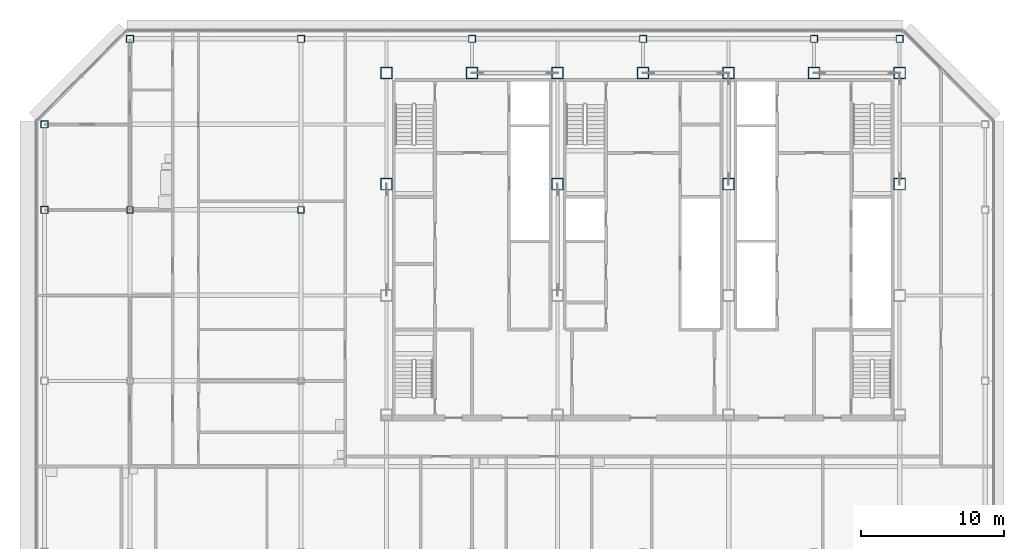
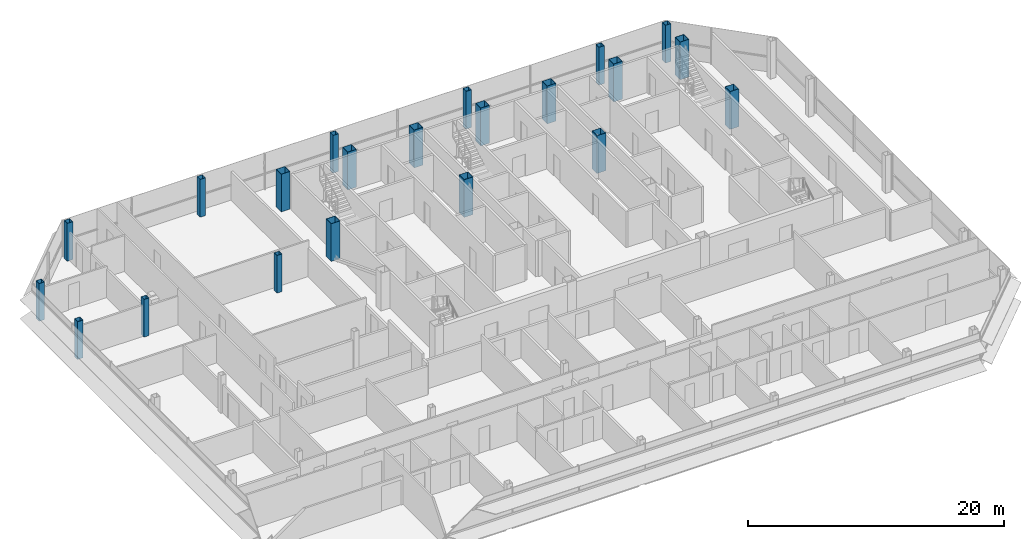
# One storey, part 2 of 28: 21 columns.
"""IFC4 building model written with IfcOpenShell, lengths in metres."""

import ifcopenshell
import ifcopenshell.guid

model = None  # the IFC model being written
_history = None  # IfcOwnerHistory: only IFC2X3 demands one
_inside = {}  # id of a spatial element -> (the spatial element, [elements in it])
_under = {}  # id of a project, library or spatial element -> (it, [spatial elements below it])
_declared = {}  # id of a project -> (the project, [libraries it declares])
_typed = {}  # id of a type object -> (the type object, [elements of that type])
_made_of = {}  # id of a material, layer set ... -> (it, [elements and type objects made of it])


def new_model(schema):
    """Start an empty IFC model of exactly this schema.

    Asked for "IFC4X3", IfcOpenShell would pick the latest addendum, in which some entities
    have other attributes; the version numbers below select the first issue.
    IFC2X3 requires an IfcOwnerHistory on every rooted entity: one is made here for all.
    """
    global model, _history
    if schema == "IFC4X3":
        model = ifcopenshell.file(schema_version=(4, 3, 0, 0))
    else:
        model = ifcopenshell.file(schema=schema)
    _inside.clear()
    _under.clear()
    _declared.clear()
    _typed.clear()
    _made_of.clear()
    _history = None
    if model.schema == "IFC2X3":
        org = make("IfcOrganization", Name="unknown")
        user = make(
            "IfcPersonAndOrganization",
            ThePerson=make("IfcPerson", FamilyName="unknown"),
            TheOrganization=org,
        )
        app = make(
            "IfcApplication",
            ApplicationDeveloper=org,
            Version="unknown",
            ApplicationFullName="unknown",
            ApplicationIdentifier="unknown",
        )
        _history = make(
            "IfcOwnerHistory",
            OwningUser=user,
            OwningApplication=app,
            ChangeAction="ADDED",
            CreationDate=0,
        )
    return model


def make(cls, **values):
    """One entity of the class cls with the attributes given. An attribute that is None is left unset."""
    return model.create_entity(
        cls, **{name: value for name, value in values.items() if value is not None}
    )


def rooted(cls, **values):
    """An entity with a GlobalId (a new one), such as an element, a storey or a relation."""
    return make(cls, GlobalId=ifcopenshell.guid.new(), OwnerHistory=_history, **values)


def si_unit(unit_type, name, prefix=None):
    """IfcSIUnit, for example si_unit("LENGTHUNIT", "METRE", prefix="MILLI")."""
    return make("IfcSIUnit", UnitType=unit_type, Prefix=prefix, Name=name)


def assignment(units):
    """IfcUnitAssignment: the units of a project."""
    return None if units is None else make("IfcUnitAssignment", Units=units)


def point(xyz):
    """IfcCartesianPoint."""
    return None if xyz is None else make("IfcCartesianPoint", Coordinates=xyz)


def direction(xyz):
    """IfcDirection."""
    return None if xyz is None else make("IfcDirection", DirectionRatios=xyz)


def frame(location, z_axis=None, x_axis=None):
    """IfcAxis2Placement3D, a coordinate frame: its origin and axes. An axis left out is left unset."""
    return make(
        "IfcAxis2Placement3D",
        Location=point(location),
        Axis=direction(z_axis),
        RefDirection=direction(x_axis),
    )


def frame_2d(location, x_axis=None):
    """IfcAxis2Placement2D, a coordinate frame in the plane: its origin and x axis."""
    return make(
        "IfcAxis2Placement2D", Location=point(location), RefDirection=direction(x_axis)
    )


def origin():
    """The frame at (0, 0, 0) with its axes left unset."""
    return frame((0.0, 0.0, 0.0))


def origin_2d():
    """The frame at (0, 0) in the plane with its x axis left unset."""
    return frame_2d((0.0, 0.0))


def place(relative_to, where):
    """IfcLocalPlacement: puts the frame where relative to a parent placement (None: the world)."""
    return make(
        "IfcLocalPlacement", PlacementRelTo=relative_to, RelativePlacement=where
    )


def context(
    kind, dimensions, precision=None, world=None, true_north=None, identifier=None
):
    """IfcGeometricRepresentationContext, for example the 3D "Model" context."""
    return make(
        "IfcGeometricRepresentationContext",
        ContextIdentifier=identifier,
        ContextType=kind,
        CoordinateSpaceDimension=dimensions,
        Precision=precision,
        WorldCoordinateSystem=world,
        TrueNorth=true_north,
    )


def subcontext(parent, identifier, kind, view, scale=None):
    """IfcGeometricRepresentationSubContext, for example "Body" below "Model"."""
    return make(
        "IfcGeometricRepresentationSubContext",
        ContextIdentifier=identifier,
        ContextType=kind,
        ParentContext=parent,
        TargetScale=scale,
        TargetView=view,
    )


def project(units=None, contexts=None):
    """IfcProject with its units and contexts."""
    return rooted(
        "IfcProject",
        Name="project",
        RepresentationContexts=contexts,
        UnitsInContext=assignment(units),
    )


def spatial(cls, under=None, at=None, **own):
    """A site, building, storey or space (cls), placed at a placement, below another one or the project."""
    s = rooted(cls, ObjectPlacement=at, **own)
    if under is not None:
        _under.setdefault(under.id(), (under, []))[1].append(s)
    return s


def profile(cls, at=None, kind="AREA", **sizes):
    """A parametric profile (cls). Its sizes go by their IFC names, for example OverallWidth=200.0."""
    return make(cls, ProfileType=kind, Position=at, **sizes)


def hollow_rectangle(**sizes):
    """IfcRectangleHollowProfileDef."""
    return profile("IfcRectangleHollowProfileDef", **sizes)


def extrude(swept, where, along, depth):
    """IfcExtrudedAreaSolid: the profile swept, set in the frame where, extruded along a direction by depth."""
    return make(
        "IfcExtrudedAreaSolid",
        SweptArea=swept,
        Position=where,
        ExtrudedDirection=direction(along),
        Depth=depth,
    )


def shape(context_of_items, identifier, shape_type, items):
    """IfcShapeRepresentation: the items that make up one representation, for example the "Body"."""
    return make(
        "IfcShapeRepresentation",
        ContextOfItems=context_of_items,
        RepresentationIdentifier=identifier,
        RepresentationType=shape_type,
        Items=items,
    )


def material(Name=None, Category=None):
    """IfcMaterial."""
    return make("IfcMaterial", Name=Name, Category=Category)


def material_profile(
    of_material, cross_section, Name=None, Category=None, Priority=None
):
    """IfcMaterialProfile: a cross section and its material."""
    return make(
        "IfcMaterialProfile",
        Name=Name,
        Material=of_material,
        Profile=cross_section,
        Priority=Priority,
        Category=Category,
    )


def profile_set(profiles, Name=None, composite=None):
    """IfcMaterialProfileSet."""
    return make(
        "IfcMaterialProfileSet",
        Name=Name,
        MaterialProfiles=profiles,
        CompositeProfile=composite,
    )


def made_of(thing, what):
    """Note that an element or type object is made of a material, layer set ...; save() writes the relation."""
    if what is not None:
        _made_of.setdefault(what.id(), (what, []))[1].append(thing)
    return thing


def type_object(cls, material=None, **own):
    """A type object (cls), such as IfcWallType, which elements share."""
    return made_of(rooted(cls, **own), material)


def element(
    cls,
    number,
    at=None,
    inside=None,
    cuts=None,
    type_object=None,
    material=None,
    context=None,
    identifier="Body",
    shape_type=None,
    held_by="IfcProductDefinitionShape",
    body=None,
    shapes=None,
    **own,
):
    """One element of the class cls, such as IfcWall. Its Tag is "e" and its number.

    at: its placement. inside: the storey or other place that contains it. cuts: it is an
    opening in that element (IfcRelVoidsElement). A single representation is given by context,
    identifier, shape_type and body (its items); several are given by shapes. held_by: the class
    of the entity that holds the representations. save() writes the other relations.
    """
    e = rooted(cls, Tag="e%d" % number, ObjectPlacement=at, **own)
    if body is not None:
        shapes = [shape(context, identifier, shape_type, body)]
    if shapes is not None:
        e.Representation = make(held_by, Representations=shapes)
    if inside is not None:
        _inside.setdefault(inside.id(), (inside, []))[1].append(e)
    if cuts is not None:
        rooted(
            "IfcRelVoidsElement", RelatingBuildingElement=cuts, RelatedOpeningElement=e
        )
    if type_object is not None:
        _typed.setdefault(type_object.id(), (type_object, []))[1].append(e)
    return made_of(e, material)


def aggregate(whole, parts):
    """IfcRelAggregates: a whole, such as a stair, and the parts it consists of."""
    return rooted("IfcRelAggregates", RelatingObject=whole, RelatedObjects=parts)


def save(model, path):
    """Write the relations noted so far, then the file.

    IfcRelAggregates (storeys below a building ...), IfcRelContainedInSpatialStructure (elements
    in a storey), IfcRelDefinesByType, IfcRelAssociatesMaterial and IfcRelDeclares: one each for
    every whole, place, type object, material and project.
    """
    for whole, parts in _under.values():
        aggregate(whole, parts)
    for where, things in _inside.values():
        rooted(
            "IfcRelContainedInSpatialStructure",
            RelatedElements=things,
            RelatingStructure=where,
        )
    for kind, things in _typed.values():
        rooted("IfcRelDefinesByType", RelatedObjects=things, RelatingType=kind)
    for what, things in _made_of.values():
        rooted("IfcRelAssociatesMaterial", RelatedObjects=things, RelatingMaterial=what)
    for by, libraries in _declared.values():
        rooted("IfcRelDeclares", RelatingContext=by, RelatedDefinitions=libraries)
    model.write(path)


model = new_model("IFC4")

# Units and contexts
model_context = context("Model", 3, precision=1e-05, world=origin(), true_north=direction((0.0, 1.0)))
body_context = subcontext(model_context, "Body", "Model", "MODEL_VIEW")
ifc_project = project(units=[si_unit("LENGTHUNIT", "METRE"), si_unit("AREAUNIT", "SQUARE_METRE"), si_unit("VOLUMEUNIT", "CUBIC_METRE"), si_unit("PLANEANGLEUNIT", "RADIAN"), si_unit("MASSUNIT", "GRAM", prefix="KILO")], contexts=[model_context])

# Site, building, storey
site_placement = place(None, origin())
site = spatial("IfcSite", under=ifc_project, at=site_placement, CompositionType="ELEMENT")
building_placement = place(site_placement, origin())
building = spatial("IfcBuilding", under=site, at=building_placement, Name="Sorahane Residences", CompositionType="ELEMENT")
storey_placement = place(building_placement, frame((0.0, 0.0, 308.800048828125)))
storey = spatial("IfcBuildingStorey", under=building, at=storey_placement, Name="L73", CompositionType="ELEMENT", Elevation=308.800048828125)

# Columns
ifc_material_1 = material(Name="Steel Q355B", Category="steel")
ifc_material_profile_1 = material_profile(ifc_material_1, hollow_rectangle(XDim=0.449951171875, YDim=0.449951171875, WallThickness=0.02197265625, at=origin_2d()), Name="BOX 450x450x22")
ifc_profile_set_1 = profile_set([ifc_material_profile_1], Name="Steel Q355B")
column_type_1 = type_object("IfcColumnType", Name="Steel box column BOX 450x450x22 Q355B", PredefinedType="COLUMN", material=ifc_profile_set_1)
for number, where, z_axis, x_axis, name in (
    (1, (-12.0, 36.0, 0.0), (0.0, 0.0, 1.0), (1.0, 0.0, 0.0), "Column L73 m12/36"),
    (2, (0.0, 36.0, 0.0), (0.0, 0.0, 1.0), (1.0, 0.0, 0.0), "Column L73 0/36"),
):
    element("IfcColumn", number, at=place(storey_placement, frame(where, z_axis=z_axis, x_axis=x_axis)), inside=storey, type_object=column_type_1, Name=name, PredefinedType="COLUMN", context=body_context, shape_type="SweptSolid", body=[
        extrude(hollow_rectangle(XDim=0.449951171875, YDim=0.449951171875, WallThickness=0.02197265625, at=origin_2d()), origin(), (0.0, 0.0, 1.0), 3.599853515625),
    ])
ifc_material_2 = material(Name="Steel Q355B", Category="steel")
ifc_material_profile_2 = material_profile(ifc_material_2, hollow_rectangle(XDim=0.5, YDim=0.5, WallThickness=0.02490234375, at=origin_2d()), Name="BOX 500x500x25")
ifc_profile_set_2 = profile_set([ifc_material_profile_2], Name="Steel Q355B")
column_type_2 = type_object("IfcColumnType", Name="Steel box column BOX 500x500x25 Q355B", PredefinedType="COLUMN", material=ifc_profile_set_2)
for number, where, z_axis, x_axis, name in (
    (3, (-18.0, 36.0, 0.0), (0.0, 0.0, 1.0), (1.0, 0.0, 0.0), "Column L73 m18/36"),
    (4, (-18.0, 42.0, 0.0), (0.0, 0.0, 1.0), (1.0, 0.0, 0.0), "Column L73 m18/42"),
    (5, (-12.0, 48.0, 0.0), (0.0, 0.0, 1.0), (1.0, 0.0, 0.0), "Column L73 m12/48"),
    (6, (0.0, 48.0, 0.0), (0.0, 0.0, 1.0), (1.0, 0.0, 0.0), "Column L73 0/48"),
    (7, (12.0, 48.0, 0.0), (0.0, 0.0, 1.0), (1.0, 0.0, 0.0), "Column L73 12/48"),
    (8, (24.0, 48.0, 0.0), (0.0, 0.0, 1.0), (1.0, 0.0, 0.0), "Column L73 24/48"),
    (9, (36.0, 48.0, 0.0), (0.0, 0.0, 1.0), (1.0, 0.0, 0.0), "Column L73 36/48"),
    (10, (42.0, 48.0, 0.0), (0.0, 0.0, 1.0), (1.0, 0.0, 0.0), "Column L73 42/48"),
):
    element("IfcColumn", number, at=place(storey_placement, frame(where, z_axis=z_axis, x_axis=x_axis)), inside=storey, type_object=column_type_2, Name=name, PredefinedType="COLUMN", context=body_context, shape_type="SweptSolid", body=[
        extrude(hollow_rectangle(XDim=0.5, YDim=0.5, WallThickness=0.02490234375, at=origin_2d()), origin(), (0.0, 0.0, 1.0), 3.599853515625),
    ])
ifc_material_3 = material(Name="Steel Q355B", Category="steel")
ifc_material_profile_3 = material_profile(ifc_material_3, hollow_rectangle(XDim=0.800048828125, YDim=0.800048828125, WallThickness=0.02490234375, at=origin_2d()), Name="BOX 800x800x25")
ifc_profile_set_3 = profile_set([ifc_material_profile_3], Name="Steel Q355B")
column_type_3 = type_object("IfcColumnType", Name="Steel box column BOX 800x800x25 Q355B", PredefinedType="COLUMN", material=ifc_profile_set_3)
for number, where, z_axis, x_axis, name in (
    (11, (6.0, 37.800048828125, 0.0), (0.0, 0.0, 1.0), (1.0, 0.0, 0.0), "Column L73 6/37.8"),
    (12, (6.0, 45.60009765625, 0.0), (0.0, 0.0, 1.0), (1.0, 0.0, 0.0), "Column L73 6/45.6"),
    (13, (12.0, 45.60009765625, 0.0), (0.0, 0.0, 1.0), (1.0, 0.0, 0.0), "Column L73 12/45.6"),
    (14, (18.0, 37.800048828125, 0.0), (0.0, 0.0, 1.0), (1.0, 0.0, 0.0), "Column L73 18/37.8"),
    (15, (18.0, 45.60009765625, 0.0), (0.0, 0.0, 1.0), (1.0, 0.0, 0.0), "Column L73 18/45.6"),
    (16, (24.0, 45.60009765625, 0.0), (0.0, 0.0, 1.0), (1.0, 0.0, 0.0), "Column L73 24/45.6"),
    (17, (30.0, 37.800048828125, 0.0), (0.0, 0.0, 1.0), (1.0, 0.0, 0.0), "Column L73 30/37.8"),
    (18, (30.0, 45.60009765625, 0.0), (0.0, 0.0, 1.0), (1.0, 0.0, 0.0), "Column L73 30/45.6"),
    (19, (36.0, 45.60009765625, 0.0), (0.0, 0.0, 1.0), (1.0, 0.0, 0.0), "Column L73 36/45.6"),
    (20, (42.0, 37.800048828125, 0.0), (0.0, 0.0, 1.0), (1.0, 0.0, 0.0), "Column L73 42/37.8"),
    (21, (42.0, 45.60009765625, 0.0), (0.0, 0.0, 1.0), (1.0, 0.0, 0.0), "Column L73 42/45.6"),
):
    element("IfcColumn", number, at=place(storey_placement, frame(where, z_axis=z_axis, x_axis=x_axis)), inside=storey, type_object=column_type_3, Name=name, PredefinedType="COLUMN", context=body_context, shape_type="SweptSolid", body=[
        extrude(hollow_rectangle(XDim=0.800048828125, YDim=0.800048828125, WallThickness=0.02490234375, at=origin_2d()), origin(), (0.0, 0.0, 1.0), 3.599853515625),
    ])

save(model, "model.ifc")
